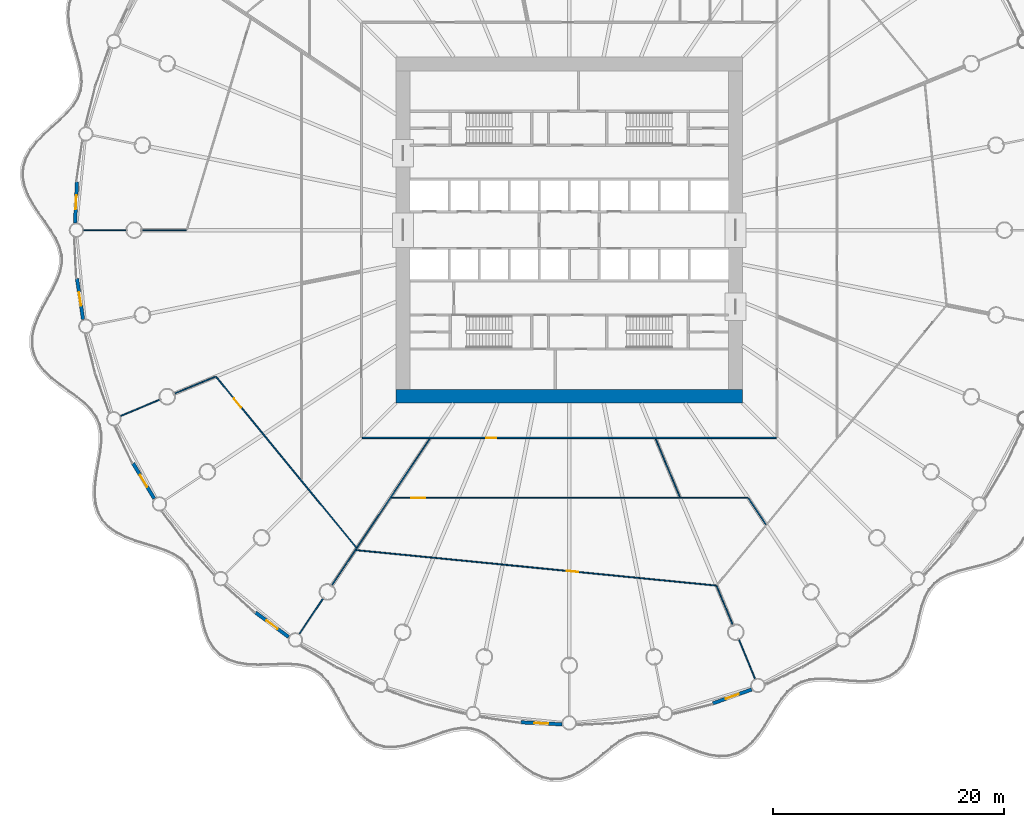
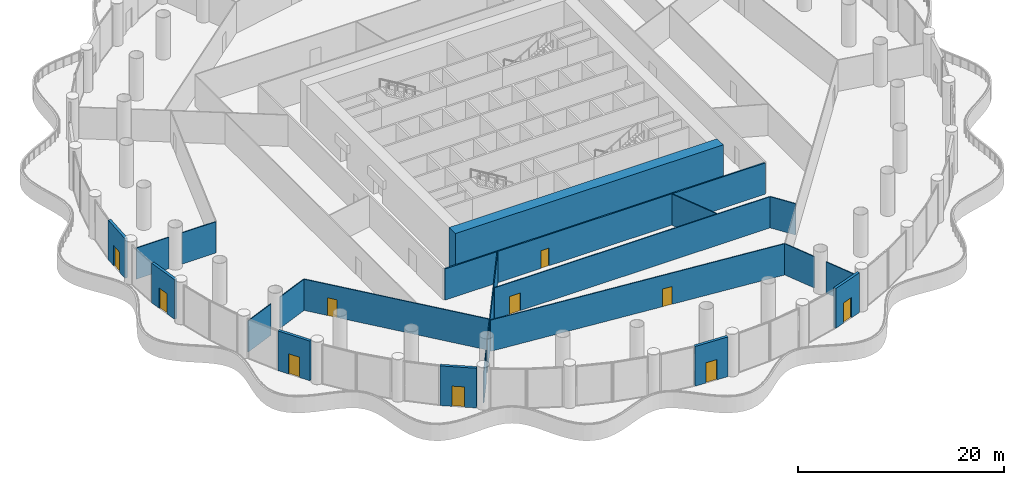
# One storey, part 24 of 38: 21 walls, 10 doors, 10 openings.
"""IFC4 building model written with IfcOpenShell, lengths in metres."""

import ifcopenshell
import ifcopenshell.guid

model = None  # the IFC model being written
_history = None  # IfcOwnerHistory: only IFC2X3 demands one
_inside = {}  # id of a spatial element -> (the spatial element, [elements in it])
_under = {}  # id of a project, library or spatial element -> (it, [spatial elements below it])
_declared = {}  # id of a project -> (the project, [libraries it declares])
_typed = {}  # id of a type object -> (the type object, [elements of that type])
_made_of = {}  # id of a material, layer set ... -> (it, [elements and type objects made of it])


def new_model(schema):
    """Start an empty IFC model of exactly this schema.

    Asked for "IFC4X3", IfcOpenShell would pick the latest addendum, in which some entities
    have other attributes; the version numbers below select the first issue.
    IFC2X3 requires an IfcOwnerHistory on every rooted entity: one is made here for all.
    """
    global model, _history
    if schema == "IFC4X3":
        model = ifcopenshell.file(schema_version=(4, 3, 0, 0))
    else:
        model = ifcopenshell.file(schema=schema)
    _inside.clear()
    _under.clear()
    _declared.clear()
    _typed.clear()
    _made_of.clear()
    _history = None
    if model.schema == "IFC2X3":
        org = make("IfcOrganization", Name="unknown")
        user = make(
            "IfcPersonAndOrganization",
            ThePerson=make("IfcPerson", FamilyName="unknown"),
            TheOrganization=org,
        )
        app = make(
            "IfcApplication",
            ApplicationDeveloper=org,
            Version="unknown",
            ApplicationFullName="unknown",
            ApplicationIdentifier="unknown",
        )
        _history = make(
            "IfcOwnerHistory",
            OwningUser=user,
            OwningApplication=app,
            ChangeAction="ADDED",
            CreationDate=0,
        )
    return model


def make(cls, **values):
    """One entity of the class cls with the attributes given. An attribute that is None is left unset."""
    return model.create_entity(
        cls, **{name: value for name, value in values.items() if value is not None}
    )


def rooted(cls, **values):
    """An entity with a GlobalId (a new one), such as an element, a storey or a relation."""
    return make(cls, GlobalId=ifcopenshell.guid.new(), OwnerHistory=_history, **values)


def si_unit(unit_type, name, prefix=None):
    """IfcSIUnit, for example si_unit("LENGTHUNIT", "METRE", prefix="MILLI")."""
    return make("IfcSIUnit", UnitType=unit_type, Prefix=prefix, Name=name)


def assignment(units):
    """IfcUnitAssignment: the units of a project."""
    return None if units is None else make("IfcUnitAssignment", Units=units)


def point(xyz):
    """IfcCartesianPoint."""
    return None if xyz is None else make("IfcCartesianPoint", Coordinates=xyz)


def direction(xyz):
    """IfcDirection."""
    return None if xyz is None else make("IfcDirection", DirectionRatios=xyz)


def frame(location, z_axis=None, x_axis=None):
    """IfcAxis2Placement3D, a coordinate frame: its origin and axes. An axis left out is left unset."""
    return make(
        "IfcAxis2Placement3D",
        Location=point(location),
        Axis=direction(z_axis),
        RefDirection=direction(x_axis),
    )


def frame_2d(location, x_axis=None):
    """IfcAxis2Placement2D, a coordinate frame in the plane: its origin and x axis."""
    return make(
        "IfcAxis2Placement2D", Location=point(location), RefDirection=direction(x_axis)
    )


def origin():
    """The frame at (0, 0, 0) with its axes left unset."""
    return frame((0.0, 0.0, 0.0))


def place(relative_to, where):
    """IfcLocalPlacement: puts the frame where relative to a parent placement (None: the world)."""
    return make(
        "IfcLocalPlacement", PlacementRelTo=relative_to, RelativePlacement=where
    )


def context(
    kind, dimensions, precision=None, world=None, true_north=None, identifier=None
):
    """IfcGeometricRepresentationContext, for example the 3D "Model" context."""
    return make(
        "IfcGeometricRepresentationContext",
        ContextIdentifier=identifier,
        ContextType=kind,
        CoordinateSpaceDimension=dimensions,
        Precision=precision,
        WorldCoordinateSystem=world,
        TrueNorth=true_north,
    )


def subcontext(parent, identifier, kind, view, scale=None):
    """IfcGeometricRepresentationSubContext, for example "Body" below "Model"."""
    return make(
        "IfcGeometricRepresentationSubContext",
        ContextIdentifier=identifier,
        ContextType=kind,
        ParentContext=parent,
        TargetScale=scale,
        TargetView=view,
    )


def project(units=None, contexts=None):
    """IfcProject with its units and contexts."""
    return rooted(
        "IfcProject",
        Name="project",
        RepresentationContexts=contexts,
        UnitsInContext=assignment(units),
    )


def spatial(cls, under=None, at=None, **own):
    """A site, building, storey or space (cls), placed at a placement, below another one or the project."""
    s = rooted(cls, ObjectPlacement=at, **own)
    if under is not None:
        _under.setdefault(under.id(), (under, []))[1].append(s)
    return s


def profile(cls, at=None, kind="AREA", **sizes):
    """A parametric profile (cls). Its sizes go by their IFC names, for example OverallWidth=200.0."""
    return make(cls, ProfileType=kind, Position=at, **sizes)


def rectangle(**sizes):
    """IfcRectangleProfileDef."""
    return profile("IfcRectangleProfileDef", **sizes)


def extrude(swept, where, along, depth):
    """IfcExtrudedAreaSolid: the profile swept, set in the frame where, extruded along a direction by depth."""
    return make(
        "IfcExtrudedAreaSolid",
        SweptArea=swept,
        Position=where,
        ExtrudedDirection=direction(along),
        Depth=depth,
    )


def shape(context_of_items, identifier, shape_type, items):
    """IfcShapeRepresentation: the items that make up one representation, for example the "Body"."""
    return make(
        "IfcShapeRepresentation",
        ContextOfItems=context_of_items,
        RepresentationIdentifier=identifier,
        RepresentationType=shape_type,
        Items=items,
    )


def material(Name=None, Category=None):
    """IfcMaterial."""
    return make("IfcMaterial", Name=Name, Category=Category)


def layer(
    of_material, thickness, ventilated=None, Name=None, Category=None, Priority=None
):
    """IfcMaterialLayer: one layer of a wall or slab, of a material (None: an air gap)."""
    return make(
        "IfcMaterialLayer",
        Material=of_material,
        LayerThickness=thickness,
        IsVentilated=ventilated,
        Name=Name,
        Category=Category,
        Priority=Priority,
    )


def layer_set(layers, Name=None):
    """IfcMaterialLayerSet."""
    return make("IfcMaterialLayerSet", MaterialLayers=layers, LayerSetName=Name)


def made_of(thing, what):
    """Note that an element or type object is made of a material, layer set ...; save() writes the relation."""
    if what is not None:
        _made_of.setdefault(what.id(), (what, []))[1].append(thing)
    return thing


def type_object(cls, material=None, **own):
    """A type object (cls), such as IfcWallType, which elements share."""
    return made_of(rooted(cls, **own), material)


def element(
    cls,
    number,
    at=None,
    inside=None,
    cuts=None,
    type_object=None,
    material=None,
    context=None,
    identifier="Body",
    shape_type=None,
    held_by="IfcProductDefinitionShape",
    body=None,
    shapes=None,
    **own,
):
    """One element of the class cls, such as IfcWall. Its Tag is "e" and its number.

    at: its placement. inside: the storey or other place that contains it. cuts: it is an
    opening in that element (IfcRelVoidsElement). A single representation is given by context,
    identifier, shape_type and body (its items); several are given by shapes. held_by: the class
    of the entity that holds the representations. save() writes the other relations.
    """
    e = rooted(cls, Tag="e%d" % number, ObjectPlacement=at, **own)
    if body is not None:
        shapes = [shape(context, identifier, shape_type, body)]
    if shapes is not None:
        e.Representation = make(held_by, Representations=shapes)
    if inside is not None:
        _inside.setdefault(inside.id(), (inside, []))[1].append(e)
    if cuts is not None:
        rooted(
            "IfcRelVoidsElement", RelatingBuildingElement=cuts, RelatedOpeningElement=e
        )
    if type_object is not None:
        _typed.setdefault(type_object.id(), (type_object, []))[1].append(e)
    return made_of(e, material)


def fill(opening, filler):
    """IfcRelFillsElement: the door or window that sits in an opening."""
    return rooted(
        "IfcRelFillsElement",
        RelatingOpeningElement=opening,
        RelatedBuildingElement=filler,
    )


def aggregate(whole, parts):
    """IfcRelAggregates: a whole, such as a stair, and the parts it consists of."""
    return rooted("IfcRelAggregates", RelatingObject=whole, RelatedObjects=parts)


def save(model, path):
    """Write the relations noted so far, then the file.

    IfcRelAggregates (storeys below a building ...), IfcRelContainedInSpatialStructure (elements
    in a storey), IfcRelDefinesByType, IfcRelAssociatesMaterial and IfcRelDeclares: one each for
    every whole, place, type object, material and project.
    """
    for whole, parts in _under.values():
        aggregate(whole, parts)
    for where, things in _inside.values():
        rooted(
            "IfcRelContainedInSpatialStructure",
            RelatedElements=things,
            RelatingStructure=where,
        )
    for kind, things in _typed.values():
        rooted("IfcRelDefinesByType", RelatedObjects=things, RelatingType=kind)
    for what, things in _made_of.values():
        rooted("IfcRelAssociatesMaterial", RelatedObjects=things, RelatingMaterial=what)
    for by, libraries in _declared.values():
        rooted("IfcRelDeclares", RelatingContext=by, RelatedDefinitions=libraries)
    model.write(path)


model = new_model("IFC4")

# Units and contexts
model_context = context("Model", 3, precision=1e-05, world=origin(), true_north=direction((0.0, 1.0)))
body_context = subcontext(model_context, "Body", "Model", "MODEL_VIEW")
ifc_project = project(units=[si_unit("LENGTHUNIT", "METRE"), si_unit("AREAUNIT", "SQUARE_METRE"), si_unit("VOLUMEUNIT", "CUBIC_METRE"), si_unit("PLANEANGLEUNIT", "RADIAN"), si_unit("MASSUNIT", "GRAM", prefix="KILO")], contexts=[model_context])

# Site, building, storey
site_placement = place(None, origin())
site = spatial("IfcSite", under=ifc_project, at=site_placement, CompositionType="ELEMENT")
building_placement = place(site_placement, origin())
building = spatial("IfcBuilding", under=site, at=building_placement, Name="Corvane Civic Tower", CompositionType="ELEMENT")
storey_placement = place(building_placement, frame((0.0, 0.0, 32.0)))
storey = spatial("IfcBuildingStorey", under=building, at=storey_placement, Name="L06", CompositionType="ELEMENT", Elevation=32.0)

# Wall
ifc_material_1 = material(Name="Concrete C80/95", Category="concrete")
ifc_layer_1 = layer(ifc_material_1, 1.199951171875)
ifc_layer_set_1 = layer_set([ifc_layer_1], Name="Concrete C80/95")
wall_type_1 = type_object("IfcWallType", Name="CORE WALL 1200 C80/95", PredefinedType="SHEAR", material=ifc_layer_set_1)
wall_1_placement = place(storey_placement, frame((-15.0, -14.39990234375, 0.0), z_axis=(0.0, 0.0, 1.0), x_axis=(1.0, 0.0, 0.0)))
element("IfcWall", 1, at=wall_1_placement, inside=storey, type_object=wall_type_1, Name="W-L06-core-S", PredefinedType="SHEAR", context=body_context, shape_type="SweptSolid", body=[
    extrude(rectangle(XDim=30.0, YDim=1.199951171875, at=frame_2d((15.0, 0.0))), origin(), (0.0, 0.0, 1.0), 5.0),
])

# Wall, opening, door
ifc_material_2 = material(Name="Terracotta cladding", Category="masonry")
ifc_layer_2 = layer(ifc_material_2, 0.300048828125)
ifc_layer_set_2 = layer_set([ifc_layer_2], Name="Terracotta cladding")
wall_type_2 = type_object("IfcWallType", Name="PODIUM-W-DRUMDOOR-300", PredefinedType="SOLIDWALL", material=ifc_layer_set_2)
wall_2_placement = place(storey_placement, frame((15.80224609375, -39.80126953125, 0.0), z_axis=(0.0, 0.0, 1.0), x_axis=(-0.941550911926, -0.336870717414, 0.0)))
wall_2 = element("IfcWall", 2, at=wall_2_placement, inside=storey, type_object=wall_type_2, Name="L06 drum door bay wall 15", PredefinedType="SOLIDWALL", context=body_context, shape_type="SweptSolid", body=[
    extrude(rectangle(XDim=3.559814453125, YDim=0.300048828125, at=frame_2d((1.77978515625, 0.0))), origin(), (0.0, 0.0, 1.0), 4.699951171875),
])
opening_1_placement = place(wall_2_placement, frame((1.179931640625, 0.0, 0.0)))
opening_1 = element("IfcOpeningElement", 3, at=opening_1_placement, cuts=wall_2, Name="Opening ED-L06-15", PredefinedType="OPENING", context=body_context, shape_type="SweptSolid", body=[
    extrude(rectangle(XDim=1.199951171875, YDim=2.39990234375, at=frame_2d((0.60009765625, 1.199951171875))), frame((0.0, 0.159912109375, 0.0), z_axis=(0.0, -1.0, 0.0), x_axis=(1.0, 0.0, 0.0)), (0.0, 0.0, 1.0), 0.320068359375),
])
ifc_material_3 = material(Name="Anodised aluminium and glass", Category="aluminium")
door_type_1 = type_object("IfcDoorType", Name="PODIUM-D-BALCONY-1200", OperationType="SINGLE_SWING_LEFT", PredefinedType="DOOR", material=ifc_material_3)
door_1_placement = place(opening_1_placement, origin())
door_1 = element("IfcDoor", 4, at=door_1_placement, inside=storey, type_object=door_type_1, Name="L06 balcony door 15", OperationType="SINGLE_SWING_LEFT", OverallHeight=2.39990234375, OverallWidth=1.199951171875, PredefinedType="DOOR", context=body_context, shape_type="SweptSolid", body=[
    extrude(rectangle(XDim=1.199951171875, YDim=2.39990234375, at=frame_2d((0.60009765625, 1.199951171875))), frame((0.0, 0.02490234375, 0.0), z_axis=(0.0, -1.0, 0.0), x_axis=(1.0, 0.0, 0.0)), (0.0, 0.0, 1.0), 0.050048828125),
])
fill(opening_1, door_1)

wall_3_placement = place(storey_placement, frame((-0.6318359375, -42.81884765625, 0.0), z_axis=(0.0, 0.0, 1.0), x_axis=(-0.998793719427, 0.049103014495, 0.0)))
wall_3 = element("IfcWall", 5, at=wall_3_placement, inside=storey, type_object=wall_type_2, Name="L06 drum door bay wall 17", PredefinedType="SOLIDWALL", context=body_context, shape_type="SweptSolid", body=[
    extrude(rectangle(XDim=3.56005859375, YDim=0.300048828125, at=frame_2d((1.780029296875, 0.0))), origin(), (0.0, 0.0, 1.0), 4.699951171875),
])
opening_2_placement = place(wall_3_placement, frame((1.179931640625, 0.0, 0.0)))
opening_2 = element("IfcOpeningElement", 6, at=opening_2_placement, cuts=wall_3, Name="Opening ED-L06-17", PredefinedType="OPENING", context=body_context, shape_type="SweptSolid", body=[
    extrude(rectangle(XDim=1.199951171875, YDim=2.39990234375, at=frame_2d((0.60009765625, 1.199951171875))), frame((0.0, 0.159912109375, 0.0), z_axis=(0.0, -1.0, 0.0), x_axis=(1.0, 0.0, 0.0)), (0.0, 0.0, 1.0), 0.320068359375),
])
door_2_placement = place(opening_2_placement, origin())
door_2 = element("IfcDoor", 7, at=door_2_placement, inside=storey, type_object=door_type_1, Name="L06 balcony door 17", OperationType="SINGLE_SWING_LEFT", OverallHeight=2.39990234375, OverallWidth=1.199951171875, PredefinedType="DOOR", context=body_context, shape_type="SweptSolid", body=[
    extrude(rectangle(XDim=1.199951171875, YDim=2.39990234375, at=frame_2d((0.60009765625, 1.199951171875))), frame((0.0, 0.02490234375, 0.0), z_axis=(0.0, -1.0, 0.0), x_axis=(1.0, 0.0, 0.0)), (0.0, 0.0, 1.0), 0.050048828125),
])
fill(opening_2, door_2)

wall_4_placement = place(storey_placement, frame((-24.314208984375, -35.25146484375, 0.0), z_axis=(0.0, 0.0, 1.0), x_axis=(-0.803190124061, 0.595722774963, 0.0)))
wall_4 = element("IfcWall", 8, at=wall_4_placement, inside=storey, type_object=wall_type_2, Name="L06 drum door bay wall 20", PredefinedType="SOLIDWALL", context=body_context, shape_type="SweptSolid", body=[
    extrude(rectangle(XDim=3.559814453125, YDim=0.300048828125, at=frame_2d((1.77978515625, 0.0))), origin(), (0.0, 0.0, 1.0), 4.699951171875),
])
opening_3_placement = place(wall_4_placement, frame((1.179931640625, 0.0, 0.0)))
opening_3 = element("IfcOpeningElement", 9, at=opening_3_placement, cuts=wall_4, Name="Opening ED-L06-20", PredefinedType="OPENING", context=body_context, shape_type="SweptSolid", body=[
    extrude(rectangle(XDim=1.199951171875, YDim=2.39990234375, at=frame_2d((0.60009765625, 1.199951171875))), frame((0.0, 0.159912109375, 0.0), z_axis=(0.0, -1.0, 0.0), x_axis=(1.0, 0.0, 0.0)), (0.0, 0.0, 1.0), 0.320068359375),
])
door_3_placement = place(opening_3_placement, origin())
door_3 = element("IfcDoor", 10, at=door_3_placement, inside=storey, type_object=door_type_1, Name="L06 balcony door 20", OperationType="SINGLE_SWING_RIGHT", OverallHeight=2.39990234375, OverallWidth=1.199951171875, PredefinedType="DOOR", context=body_context, shape_type="SweptSolid", body=[
    extrude(rectangle(XDim=1.199951171875, YDim=2.39990234375, at=frame_2d((0.60009765625, 1.199951171875))), frame((0.0, 0.02490234375, 0.0), z_axis=(0.0, -1.0, 0.0), x_axis=(1.0, 0.0, 0.0)), (0.0, 0.0, 1.0), 0.050048828125),
])
fill(opening_3, door_3)

wall_5_placement = place(storey_placement, frame((-35.95361328125, -23.26318359375, 0.0), z_axis=(0.0, 0.0, 1.0), x_axis=(-0.514142680525, 0.85770467182, 0.0)))
wall_5 = element("IfcWall", 11, at=wall_5_placement, inside=storey, type_object=wall_type_2, Name="L06 drum door bay wall 22", PredefinedType="SOLIDWALL", context=body_context, shape_type="SweptSolid", body=[
    extrude(rectangle(XDim=3.5595703125, YDim=0.300048828125, at=frame_2d((1.77978515625, 0.0))), origin(), (0.0, 0.0, 1.0), 4.699951171875),
])
opening_4_placement = place(wall_5_placement, frame((1.179931640625, 0.0, 0.0)))
opening_4 = element("IfcOpeningElement", 12, at=opening_4_placement, cuts=wall_5, Name="Opening ED-L06-22", PredefinedType="OPENING", context=body_context, shape_type="SweptSolid", body=[
    extrude(rectangle(XDim=1.199951171875, YDim=2.39990234375, at=frame_2d((0.60009765625, 1.199951171875))), frame((0.0, 0.159912109375, 0.0), z_axis=(0.0, -1.0, 0.0), x_axis=(1.0, 0.0, 0.0)), (0.0, 0.0, 1.0), 0.320068359375),
])
door_4_placement = place(opening_4_placement, origin())
door_4 = element("IfcDoor", 13, at=door_4_placement, inside=storey, type_object=door_type_1, Name="L06 balcony door 22", OperationType="SINGLE_SWING_RIGHT", OverallHeight=2.39990234375, OverallWidth=1.199951171875, PredefinedType="DOOR", context=body_context, shape_type="SweptSolid", body=[
    extrude(rectangle(XDim=1.199951171875, YDim=2.39990234375, at=frame_2d((0.60009765625, 1.199951171875))), frame((0.0, 0.02490234375, 0.0), z_axis=(0.0, -1.0, 0.0), x_axis=(1.0, 0.0, 0.0)), (0.0, 0.0, 1.0), 0.050048828125),
])
fill(opening_4, door_4)

wall_6_placement = place(storey_placement, frame((-42.119384765625, -7.73388671875, 0.0), z_axis=(0.0, 0.0, 1.0), x_axis=(-0.146700279714, 0.989180988461, 0.0)))
wall_6 = element("IfcWall", 14, at=wall_6_placement, inside=storey, type_object=wall_type_2, Name="L06 drum door bay wall 24", PredefinedType="SOLIDWALL", context=body_context, shape_type="SweptSolid", body=[
    extrude(rectangle(XDim=3.559814453125, YDim=0.300048828125, at=frame_2d((1.77978515625, 0.0))), origin(), (0.0, 0.0, 1.0), 4.699951171875),
])
opening_5_placement = place(wall_6_placement, frame((1.179931640625, 0.0, 0.0)))
opening_5 = element("IfcOpeningElement", 15, at=opening_5_placement, cuts=wall_6, Name="Opening ED-L06-24", PredefinedType="OPENING", context=body_context, shape_type="SweptSolid", body=[
    extrude(rectangle(XDim=1.199951171875, YDim=2.39990234375, at=frame_2d((0.60009765625, 1.199951171875))), frame((0.0, 0.159912109375, 0.0), z_axis=(0.0, -1.0, 0.0), x_axis=(1.0, 0.0, 0.0)), (0.0, 0.0, 1.0), 0.320068359375),
])
door_5_placement = place(opening_5_placement, origin())
door_5 = element("IfcDoor", 16, at=door_5_placement, inside=storey, type_object=door_type_1, Name="L06 balcony door 24", OperationType="SINGLE_SWING_RIGHT", OverallHeight=2.39990234375, OverallWidth=1.199951171875, PredefinedType="DOOR", context=body_context, shape_type="SweptSolid", body=[
    extrude(rectangle(XDim=1.199951171875, YDim=2.39990234375, at=frame_2d((0.60009765625, 1.199951171875))), frame((0.0, 0.02490234375, 0.0), z_axis=(0.0, -1.0, 0.0), x_axis=(1.0, 0.0, 0.0)), (0.0, 0.0, 1.0), 0.050048828125),
])
fill(opening_5, door_5)

wall_7_placement = place(storey_placement, frame((-42.81884765625, 0.6318359375, 0.0), z_axis=(0.0, 0.0, 1.0), x_axis=(0.049103014495, 0.998793719427, 0.0)))
wall_7 = element("IfcWall", 17, at=wall_7_placement, inside=storey, type_object=wall_type_2, Name="L06 drum door bay wall 25", PredefinedType="SOLIDWALL", context=body_context, shape_type="SweptSolid", body=[
    extrude(rectangle(XDim=3.56005859375, YDim=0.300048828125, at=frame_2d((1.780029296875, 0.0))), origin(), (0.0, 0.0, 1.0), 4.699951171875),
])
opening_6_placement = place(wall_7_placement, frame((1.179931640625, 0.0, 0.0)))
opening_6 = element("IfcOpeningElement", 18, at=opening_6_placement, cuts=wall_7, Name="Opening ED-L06-25", PredefinedType="OPENING", context=body_context, shape_type="SweptSolid", body=[
    extrude(rectangle(XDim=1.199951171875, YDim=2.39990234375, at=frame_2d((0.60009765625, 1.199951171875))), frame((0.0, 0.159912109375, 0.0), z_axis=(0.0, -1.0, 0.0), x_axis=(1.0, 0.0, 0.0)), (0.0, 0.0, 1.0), 0.320068359375),
])
door_6_placement = place(opening_6_placement, origin())
door_6 = element("IfcDoor", 19, at=door_6_placement, inside=storey, type_object=door_type_1, Name="L06 balcony door 25", OperationType="SINGLE_SWING_LEFT", OverallHeight=2.39990234375, OverallWidth=1.199951171875, PredefinedType="DOOR", context=body_context, shape_type="SweptSolid", body=[
    extrude(rectangle(XDim=1.199951171875, YDim=2.39990234375, at=frame_2d((0.60009765625, 1.199951171875))), frame((0.0, 0.02490234375, 0.0), z_axis=(0.0, -1.0, 0.0), x_axis=(1.0, 0.0, 0.0)), (0.0, 0.0, 1.0), 0.050048828125),
])
fill(opening_6, door_6)

# Walls
ifc_material_4 = material(Name="Plasterboard")
ifc_layer_3 = layer(ifc_material_4, 0.10009765625)
ifc_layer_set_3 = layer_set([ifc_layer_3], Name="Plasterboard")
wall_type_3 = type_object("IfcWallType", Name="Partition 100 plasterboard on studs", PredefinedType="PARTITIONING", material=ifc_layer_set_3)
wall_8_placement = place(storey_placement, frame((14.698974609375, -35.486328125, 0.0), z_axis=(0.0, 0.0, 1.0), x_axis=(0.382687744427, -0.923877746385, 0.0)))
element("IfcWall", 20, at=wall_8_placement, inside=storey, type_object=wall_type_3, Name="Partition L06.001", PredefinedType="PARTITIONING", context=body_context, shape_type="SweptSolid", body=[
    extrude(rectangle(XDim=3.6796875, YDim=0.10009765625, at=frame_2d((1.83984375, 0.0))), origin(), (0.0, 0.0, 1.0), 3.699951171875),
])
wall_9_placement = place(storey_placement, frame((-23.3837890625, -34.99658203125, 0.0), z_axis=(0.0, 0.0, 1.0), x_axis=(0.555511389691, 0.831508927146, 0.0)))
element("IfcWall", 21, at=wall_9_placement, inside=storey, type_object=wall_type_3, Name="Partition L06.002", PredefinedType="PARTITIONING", context=body_context, shape_type="SweptSolid", body=[
    extrude(rectangle(XDim=3.679931640625, YDim=0.10009765625, at=frame_2d((1.83984375, 0.0))), origin(), (0.0, 0.0, 1.0), 3.699951171875),
])
wall_10_placement = place(storey_placement, frame((12.76953125, -30.82861328125, 0.0), z_axis=(0.0, 0.0, 1.0), x_axis=(0.382718955689, -0.923864817468, 0.0)))
element("IfcWall", 22, at=wall_10_placement, inside=storey, type_object=wall_type_3, Name="Partition L06.003", PredefinedType="PARTITIONING", context=body_context, shape_type="SweptSolid", body=[
    extrude(rectangle(XDim=3.621337890625, YDim=0.10009765625, at=frame_2d((1.810546875, 0.0))), origin(), (0.0, 0.0, 1.0), 3.699951171875),
])

# Wall, opening, door
wall_11_placement = place(storey_placement, frame((-18.43896484375, -27.728515625, 0.0), z_axis=(0.0, 0.0, 1.0), x_axis=(0.995185875627, -0.098005474095, 0.0)))
wall_11 = element("IfcWall", 23, at=wall_11_placement, inside=storey, type_object=wall_type_3, Name="Partition L06.004", PredefinedType="PARTITIONING", context=body_context, shape_type="SweptSolid", body=[
    extrude(rectangle(XDim=31.318115234375, YDim=0.10009765625, at=frame_2d((15.6591796875, 0.0))), origin(), (0.0, 0.0, 1.0), 3.699951171875),
])
opening_7_placement = place(wall_11_placement, frame((18.32421875, 0.0, 0.0)))
opening_7 = element("IfcOpeningElement", 24, at=opening_7_placement, cuts=wall_11, Name="Opening L06.018", PredefinedType="OPENING", context=body_context, shape_type="SweptSolid", body=[
    extrude(rectangle(XDim=1.0, YDim=2.10009765625, at=frame_2d((0.5, 1.050048828125))), frame((0.0, 0.06005859375, 0.0), z_axis=(0.0, -1.0, 0.0), x_axis=(1.0, 0.0, 0.0)), (0.0, 0.0, 1.0), 0.1201171875),
])
ifc_material_5 = material(Name="Timber", Category="wood")
door_type_2 = type_object("IfcDoorType", Name="Single door 1000", OperationType="NOTDEFINED", PredefinedType="DOOR", material=ifc_material_5)
door_7_placement = place(opening_7_placement, frame((1.0, 0.0, 0.0), z_axis=(0.0, 0.0, 1.0), x_axis=(-1.0, 0.0, 0.0)))
door_7 = element("IfcDoor", 25, at=door_7_placement, inside=storey, type_object=door_type_2, Name="Door L06.018", OperationType="SINGLE_SWING_LEFT", OverallHeight=2.10009765625, OverallWidth=1.0, PredefinedType="DOOR", context=body_context, shape_type="SweptSolid", body=[
    extrude(rectangle(XDim=1.0, YDim=2.10009765625, at=frame_2d((0.5, 1.050048828125))), frame((0.0, 0.02490234375, 0.0), z_axis=(0.0, -1.0, 0.0), x_axis=(1.0, 0.0, 0.0)), (0.0, 0.0, 1.0), 0.050048828125),
])
fill(opening_7, door_7)

# Wall
wall_12_placement = place(storey_placement, frame((-20.550537109375, -30.756103515625, 0.0), z_axis=(0.0, 0.0, 1.0), x_axis=(0.555566213074, 0.83147229833, 0.0)))
element("IfcWall", 26, at=wall_12_placement, inside=storey, type_object=wall_type_3, Name="Partition L06.006", PredefinedType="PARTITIONING", context=body_context, shape_type="SweptSolid", body=[
    extrude(rectangle(XDim=15.218017578125, YDim=0.10009765625, at=frame_2d((7.60888671875, 0.0))), origin(), (0.0, 0.0, 1.0), 3.699951171875),
])

# Wall, opening, door
wall_13_placement = place(storey_placement, frame((-30.59228515625, -12.710205078125, 0.0), z_axis=(0.0, 0.0, 1.0), x_axis=(0.63438074072, -0.77302074733, 0.0)))
wall_13 = element("IfcWall", 27, at=wall_13_placement, inside=storey, type_object=wall_type_3, Name="Partition L06.007", PredefinedType="PARTITIONING", context=body_context, shape_type="SweptSolid", body=[
    extrude(rectangle(XDim=19.134765625, YDim=0.10009765625, at=frame_2d((9.5673828125, 0.0))), origin(), (0.0, 0.0, 1.0), 3.699951171875),
])
opening_8_placement = place(wall_13_placement, frame((2.422119140625, 0.0, 0.0)))
opening_8 = element("IfcOpeningElement", 28, at=opening_8_placement, cuts=wall_13, Name="Opening L06.001", PredefinedType="OPENING", context=body_context, shape_type="SweptSolid", body=[
    extrude(rectangle(XDim=1.0, YDim=2.10009765625, at=frame_2d((0.5, 1.050048828125))), frame((0.0, 0.06005859375, 0.0), z_axis=(0.0, -1.0, 0.0), x_axis=(1.0, 0.0, 0.0)), (0.0, 0.0, 1.0), 0.1201171875),
])
door_8_placement = place(opening_8_placement, frame((1.0, 0.0, 0.0), z_axis=(0.0, 0.0, 1.0), x_axis=(-1.0, 0.0, 0.0)))
door_8 = element("IfcDoor", 29, at=door_8_placement, inside=storey, type_object=door_type_2, Name="Door L06.001", OperationType="SINGLE_SWING_RIGHT", OverallHeight=2.10009765625, OverallWidth=1.0, PredefinedType="DOOR", context=body_context, shape_type="SweptSolid", body=[
    extrude(rectangle(XDim=1.0, YDim=2.10009765625, at=frame_2d((0.5, 1.050048828125))), frame((0.0, 0.02490234375, 0.0), z_axis=(0.0, -1.0, 0.0), x_axis=(1.0, 0.0, 0.0)), (0.0, 0.0, 1.0), 0.050048828125),
])
fill(opening_8, door_8)

# Wall
wall_14_placement = place(storey_placement, frame((15.5166015625, -23.22216796875, 0.0), z_axis=(0.0, 0.0, 1.0), x_axis=(0.555546474476, -0.831485486763, 0.0)))
element("IfcWall", 30, at=wall_14_placement, inside=storey, type_object=wall_type_3, Name="Partition L06.008", PredefinedType="PARTITIONING", context=body_context, shape_type="SweptSolid", body=[
    extrude(rectangle(XDim=2.728515625, YDim=0.10009765625, at=frame_2d((1.3642578125, 0.0))), origin(), (0.0, 0.0, 1.0), 3.699951171875),
])

# Wall, opening, door
wall_15_placement = place(storey_placement, frame((-15.408203125, -23.199951171875, 0.0), z_axis=(0.0, 0.0, 1.0), x_axis=(1.0, 0.0, 0.0)))
wall_15 = element("IfcWall", 31, at=wall_15_placement, inside=storey, type_object=wall_type_3, Name="Partition L06.009", PredefinedType="PARTITIONING", context=body_context, shape_type="SweptSolid", body=[
    extrude(rectangle(XDim=30.88330078125, YDim=0.10009765625, at=frame_2d((15.441650390625, 0.0))), origin(), (0.0, 0.0, 1.0), 3.699951171875),
])
opening_9_placement = place(wall_15_placement, frame((1.7216796875, 0.0, 0.0)))
opening_9 = element("IfcOpeningElement", 32, at=opening_9_placement, cuts=wall_15, Name="Opening L06.020", PredefinedType="OPENING", context=body_context, shape_type="SweptSolid", body=[
    extrude(rectangle(XDim=1.199951171875, YDim=2.10009765625, at=frame_2d((0.60009765625, 1.050048828125))), frame((0.0, 0.06005859375, 0.0), z_axis=(0.0, -1.0, 0.0), x_axis=(1.0, 0.0, 0.0)), (0.0, 0.0, 1.0), 0.1201171875),
])
ifc_material_6 = material(Name="Timber", Category="wood")
door_type_3 = type_object("IfcDoorType", Name="Double door 1200", OperationType="NOTDEFINED", PredefinedType="DOOR", material=ifc_material_6)
door_9_placement = place(opening_9_placement, frame((1.199951171875, 0.0, 0.0), z_axis=(0.0, 0.0, 1.0), x_axis=(-1.0, 0.0, 0.0)))
door_9 = element("IfcDoor", 33, at=door_9_placement, inside=storey, type_object=door_type_3, Name="Door L06.020", OperationType="DOUBLE_DOOR_SINGLE_SWING", OverallHeight=2.10009765625, OverallWidth=1.199951171875, PredefinedType="DOOR", context=body_context, shape_type="SweptSolid", body=[
    extrude(rectangle(XDim=1.199951171875, YDim=2.10009765625, at=frame_2d((0.60009765625, 1.050048828125))), frame((0.0, 0.02490234375, 0.0), z_axis=(0.0, -1.0, 0.0), x_axis=(1.0, 0.0, 0.0)), (0.0, 0.0, 1.0), 0.050048828125),
])
fill(opening_9, door_9)

# Walls
wall_16_placement = place(storey_placement, frame((7.494873046875, -18.093994140625, 0.0), z_axis=(0.0, 0.0, 1.0), x_axis=(0.382658968984, -0.923889665196, 0.0)))
element("IfcWall", 34, at=wall_16_placement, inside=storey, type_object=wall_type_3, Name="Partition L06.010", PredefinedType="PARTITIONING", context=body_context, shape_type="SweptSolid", body=[
    extrude(rectangle(XDim=5.451904296875, YDim=0.10009765625, at=frame_2d((2.72607421875, 0.0))), origin(), (0.0, 0.0, 1.0), 3.699951171875),
])
wall_17_placement = place(storey_placement, frame((-38.885986328125, -16.107177734375, 0.0), z_axis=(0.0, 0.0, 1.0), x_axis=(0.923877746385, 0.382687744427, 0.0)))
element("IfcWall", 35, at=wall_17_placement, inside=storey, type_object=wall_type_3, Name="Partition L06.016", PredefinedType="PARTITIONING", context=body_context, shape_type="SweptSolid", body=[
    extrude(rectangle(XDim=3.6796875, YDim=0.10009765625, at=frame_2d((1.83984375, 0.0))), origin(), (0.0, 0.0, 1.0), 3.699951171875),
])
wall_18_placement = place(storey_placement, frame((-34.17431640625, -14.155517578125, 0.0), z_axis=(0.0, 0.0, 1.0), x_axis=(0.92388344205, 0.382673993766, 0.0)))
element("IfcWall", 36, at=wall_18_placement, inside=storey, type_object=wall_type_3, Name="Partition L06.017", PredefinedType="PARTITIONING", context=body_context, shape_type="SweptSolid", body=[
    extrude(rectangle(XDim=3.814453125, YDim=0.10009765625, at=frame_2d((1.9072265625, 0.0))), origin(), (0.0, 0.0, 1.0), 3.699951171875),
])
wall_19_placement = place(storey_placement, frame((-42.090087890625, 0.0, 0.0), z_axis=(0.0, 0.0, 1.0), x_axis=(1.0, 0.0, 0.0)))
element("IfcWall", 37, at=wall_19_placement, inside=storey, type_object=wall_type_3, Name="Partition L06.023", PredefinedType="PARTITIONING", context=body_context, shape_type="SweptSolid", body=[
    extrude(rectangle(XDim=3.68017578125, YDim=0.10009765625, at=frame_2d((1.840087890625, 0.0))), origin(), (0.0, 0.0, 1.0), 3.699951171875),
])
wall_20_placement = place(storey_placement, frame((-36.989990234375, 0.0, 0.0), z_axis=(0.0, 0.0, 1.0), x_axis=(1.0, 0.0, 0.0)))
element("IfcWall", 38, at=wall_20_placement, inside=storey, type_object=wall_type_3, Name="Partition L06.024", PredefinedType="PARTITIONING", context=body_context, shape_type="SweptSolid", body=[
    extrude(rectangle(XDim=3.814453125, YDim=0.10009765625, at=frame_2d((1.9072265625, 0.0))), origin(), (0.0, 0.0, 1.0), 3.699951171875),
])

# Wall, opening, door
ifc_material_7 = material(Name="Plasterboard")
ifc_layer_4 = layer(ifc_material_7, 0.14990234375)
ifc_layer_set_4 = layer_set([ifc_layer_4], Name="Plasterboard")
wall_type_4 = type_object("IfcWallType", Name="Tenancy wall 150 EI 60", PredefinedType="PARTITIONING", material=ifc_layer_set_4)
wall_21_placement = place(storey_placement, frame((-17.925048828125, -18.0, 0.0), z_axis=(0.0, 0.0, 1.0), x_axis=(1.0, 0.0, 0.0)))
wall_21 = element("IfcWall", 39, at=wall_21_placement, inside=storey, type_object=wall_type_4, Name="Partition L06.012", PredefinedType="PARTITIONING", context=body_context, shape_type="SweptSolid", body=[
    extrude(rectangle(XDim=35.85009765625, YDim=0.14990234375, at=frame_2d((17.925048828125, 0.0))), origin(), (0.0, 0.0, 1.0), 3.699951171875),
])
opening_10_placement = place(wall_21_placement, frame((10.72314453125, 0.0, 0.0)))
opening_10 = element("IfcOpeningElement", 40, at=opening_10_placement, cuts=wall_21, Name="Opening L06.023", PredefinedType="OPENING", context=body_context, shape_type="SweptSolid", body=[
    extrude(rectangle(XDim=0.89990234375, YDim=2.10009765625, at=frame_2d((0.449951171875, 1.050048828125))), frame((0.0, 0.0849609375, 0.0), z_axis=(0.0, -1.0, 0.0), x_axis=(1.0, 0.0, 0.0)), (0.0, 0.0, 1.0), 0.169921875),
])
ifc_material_8 = material(Name="Steel and timber", Category="steel")
door_type_4 = type_object("IfcDoorType", Name="Fire door FD30S 900", OperationType="NOTDEFINED", PredefinedType="DOOR", material=ifc_material_8)
door_10_placement = place(opening_10_placement, frame((0.89990234375, 0.0, 0.0), z_axis=(0.0, 0.0, 1.0), x_axis=(-1.0, 0.0, 0.0)))
door_10 = element("IfcDoor", 41, at=door_10_placement, inside=storey, type_object=door_type_4, Name="Door L06.023", OperationType="SINGLE_SWING_LEFT", OverallHeight=2.10009765625, OverallWidth=0.89990234375, PredefinedType="DOOR", context=body_context, shape_type="SweptSolid", body=[
    extrude(rectangle(XDim=0.89990234375, YDim=2.10009765625, at=frame_2d((0.449951171875, 1.050048828125))), frame((0.0, 0.02490234375, 0.0), z_axis=(0.0, -1.0, 0.0), x_axis=(1.0, 0.0, 0.0)), (0.0, 0.0, 1.0), 0.050048828125),
])
fill(opening_10, door_10)

save(model, "model.ifc")
